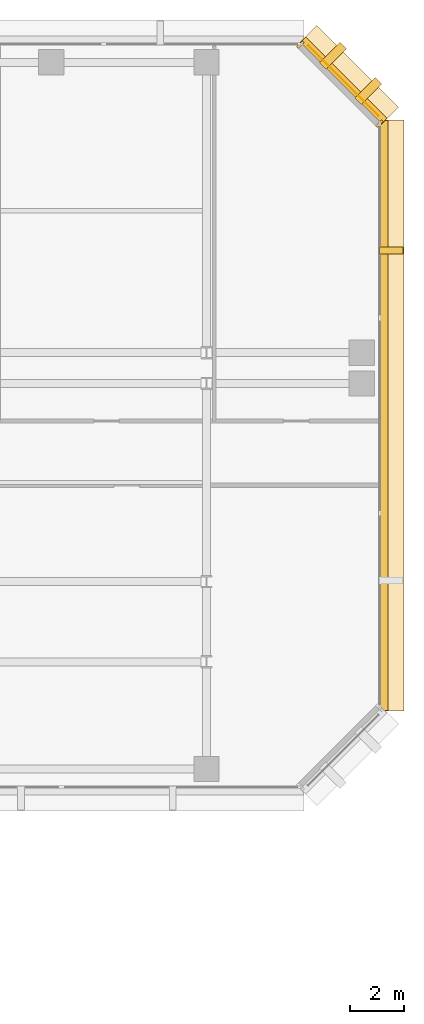
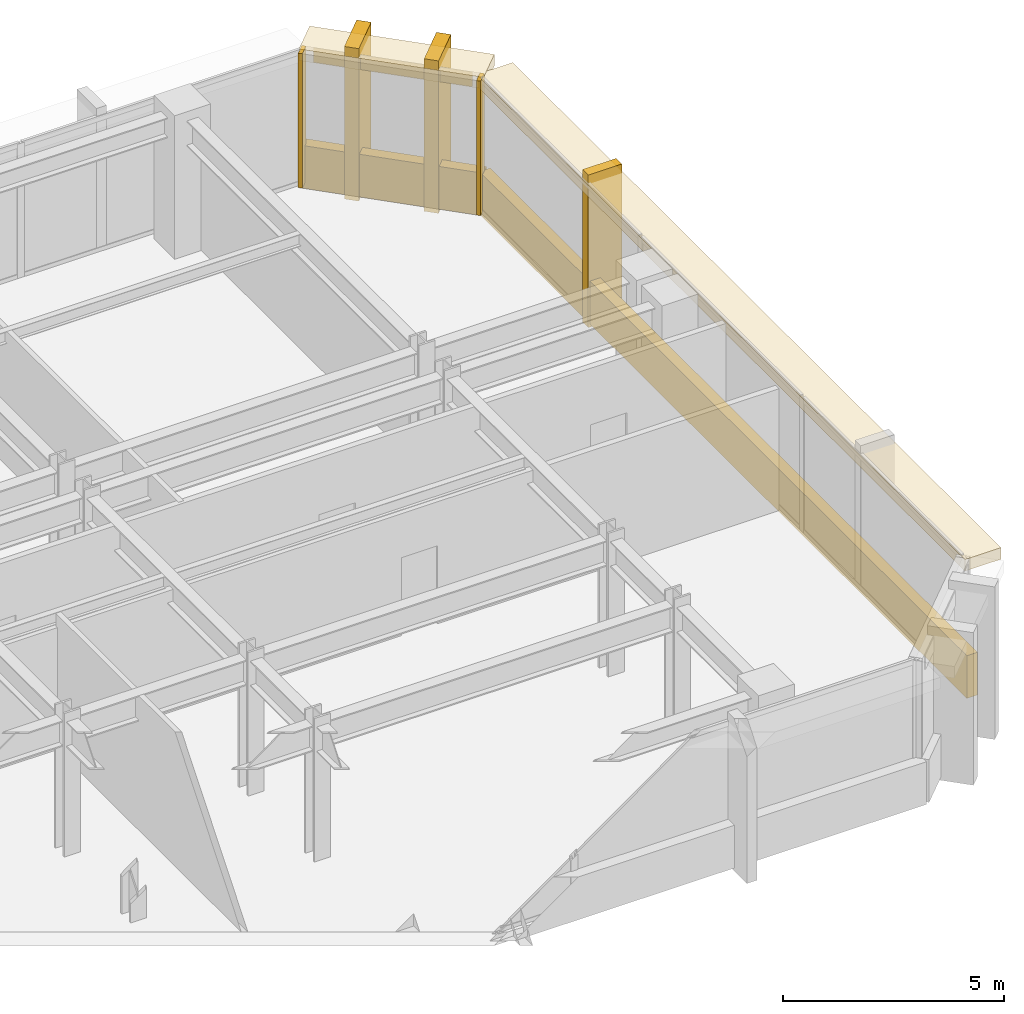
# One storey, part 13 of 13: 10 coverings.
"""IFC4 building model written with IfcOpenShell, lengths in metres."""

from ifc_helpers import new_model, si_unit, direction, frame, origin, origin_2d, place, context, subcontext, project, spatial, rectangle, extrude, material, layer, layer_set, type_object, element, save


model = new_model("IFC4")

# Units and contexts
model_context = context("Model", 3, precision=1e-05, world=origin(), true_north=direction((0.0, 1.0)))
body_context = subcontext(model_context, "Body", "Model", "MODEL_VIEW")
ifc_project = project(units=[si_unit("LENGTHUNIT", "METRE"), si_unit("AREAUNIT", "SQUARE_METRE"), si_unit("VOLUMEUNIT", "CUBIC_METRE"), si_unit("PLANEANGLEUNIT", "RADIAN"), si_unit("MASSUNIT", "GRAM", prefix="KILO")], contexts=[model_context])

# Site, building, storey
site_placement = place(None, origin())
site = spatial("IfcSite", under=ifc_project, at=site_placement, CompositionType="ELEMENT")
building_placement = place(site_placement, origin())
building = spatial("IfcBuilding", under=site, at=building_placement, Name="Kefirva Bronze Tower", CompositionType="ELEMENT")
storey_placement = place(building_placement, frame((0.0, 0.0, 98.669921875)))
storey = spatial("IfcBuildingStorey", under=building, at=storey_placement, Name="L23", CompositionType="ELEMENT", Elevation=98.669921875)

# Coverings
ifc_material = material(Name="Bronze anodised aluminium", Category="aluminium")
ifc_layer_1 = layer(ifc_material, 0.02001953125, Name="Bronze anodised aluminium")
ifc_layer_set_1 = layer_set([ifc_layer_1], Name="Bronze anodised aluminium")
covering_type_1 = type_object("IfcCoveringType", Name="Anodised Bronze Spandrel Cladding 20mm", PredefinedType="CLADDING", material=ifc_layer_set_1)
covering_1_placement = place(storey_placement, frame((56.0400390625, 32.0, -0.15966796875), z_axis=(0.0, 0.0, 1.0), x_axis=(0.0, 1.0, 0.0)))
element("IfcCovering", 1, at=covering_1_placement, inside=storey, type_object=covering_type_1, Name="L23 Streamline Horizontal Spandrel Band 6", PredefinedType="CLADDING", context=body_context, shape_type="SweptSolid", body=[
    extrude(rectangle(XDim=22.0400390625, YDim=0.280029296875, at=origin_2d()), origin(), (0.0, 0.0, 1.0), 1.179931640625),
])
covering_2_placement = place(storey_placement, frame((54.507080078125, 44.507080078125, 3.2900390625), z_axis=(0.0, 0.0, 1.0), x_axis=(-0.707106781187, 0.707106781187, 0.0)))
element("IfcCovering", 2, at=covering_2_placement, inside=storey, type_object=covering_type_1, Name="L23 Bronze Spandrel Cladding 5", PredefinedType="CLADDING", context=body_context, shape_type="SweptSolid", body=[
    extrude(rectangle(XDim=3.719482421875, YDim=0.02001953125, at=origin_2d()), origin(), (0.0, 0.0, 1.0), 0.39990234375),
])
for number, where, z_axis, x_axis, name in (
    (3, (55.862060546875, 42.91162109375, 0.0), (0.0, 0.0, 1.0), (-0.707106781187, 0.707106781187, 0.0), "L23 Facade Joint Closure Panel 5S"),
    (4, (52.91162109375, 45.862060546875, 0.0), (0.0, 0.0, 1.0), (-0.707106781187, 0.707106781187, 0.0), "L23 Facade Joint Closure Panel 5E"),
):
    element("IfcCovering", number, at=place(storey_placement, frame(where, z_axis=z_axis, x_axis=x_axis)), inside=storey, type_object=covering_type_1, Name=name, PredefinedType="CLADDING", context=body_context, shape_type="SweptSolid", body=[
        extrude(rectangle(XDim=0.10009765625, YDim=0.320068359375, at=origin_2d()), origin(), (0.0, 0.0, 1.0), 3.7099609375),
    ])
covering_3_placement = place(storey_placement, frame((54.5283203125, 44.5283203125, -0.15966796875), z_axis=(0.0, 0.0, 1.0), x_axis=(-0.707106781187, 0.707106781187, 0.0)))
element("IfcCovering", 5, at=covering_3_placement, inside=storey, type_object=covering_type_1, Name="L23 Streamline Horizontal Spandrel Band 7", PredefinedType="CLADDING", context=body_context, shape_type="SweptSolid", body=[
    extrude(rectangle(XDim=4.28271484375, YDim=0.280029296875, at=origin_2d()), origin(), (0.0, 0.0, 1.0), 1.179931640625),
])
ifc_layer_2 = layer(ifc_material, 0.179931640625, Name="Bronze anodised aluminium")
ifc_layer_set_2 = layer_set([ifc_layer_2], Name="Bronze anodised aluminium")
covering_type_2 = type_object("IfcCoveringType", Name="Streamline Bronze Sunshade Eyebrow Cladding 180mm", PredefinedType="CLADDING", material=ifc_layer_set_2)
covering_4_placement = place(storey_placement, frame((56.31005859375, 32.0, 3.39013671875), z_axis=(0.0, 0.0, 1.0), x_axis=(0.0, 1.0, 0.0)))
element("IfcCovering", 6, at=covering_4_placement, inside=storey, type_object=covering_type_2, Name="L23 Streamline Bronze Sunshade Eyebrow 6", PredefinedType="CLADDING", context=body_context, shape_type="SweptSolid", body=[
    extrude(rectangle(XDim=22.080078125, YDim=0.93994140625, at=origin_2d()), origin(), (0.0, 0.0, 1.0), 0.320068359375),
])
covering_5_placement = place(storey_placement, frame((54.71923828125, 44.71923828125, 3.39013671875), z_axis=(0.0, 0.0, 1.0), x_axis=(-0.707106781187, 0.707106781187, 0.0)))
element("IfcCovering", 7, at=covering_5_placement, inside=storey, type_object=covering_type_2, Name="L23 Streamline Bronze Sunshade Eyebrow 7", PredefinedType="CLADDING", context=body_context, shape_type="SweptSolid", body=[
    extrude(rectangle(XDim=4.322509765625, YDim=0.93994140625, at=origin_2d()), origin(), (0.0, 0.0, 1.0), 0.320068359375),
])
ifc_layer_3 = layer(ifc_material, 0.260009765625, Name="Bronze anodised aluminium")
ifc_layer_set_3 = layer_set([ifc_layer_3], Name="Bronze anodised aluminium")
covering_type_3 = type_object("IfcCoveringType", Name="Unbroken Bronze Buttress Fin Cladding 260mm", PredefinedType="CLADDING", material=ifc_layer_set_3)
covering_6_placement = place(storey_placement, frame((56.300048828125, 38.159912109375, -0.25), z_axis=(0.0, 0.0, 1.0), x_axis=(0.0, 1.0, 0.0)))
element("IfcCovering", 8, at=covering_6_placement, inside=storey, type_object=covering_type_3, Name="L23 Unbroken Vertical Bronze Rib Fin 16", PredefinedType="CLADDING", context=body_context, shape_type="SweptSolid", body=[
    extrude(rectangle(XDim=0.260009765625, YDim=0.8798828125, at=origin_2d()), origin(), (0.0, 0.0, 1.0), 4.2099609375),
])
for number, where, z_axis, x_axis, name in (
    (9, (55.44287109375, 44.122802734375, -0.25), (0.0, 0.0, 1.0), (-0.707106781187, 0.707106781187, 0.0), "L23 Chamfered Corner Buttress Fin Cladding 17"),
    (10, (54.122802734375, 45.44287109375, -0.25), (0.0, 0.0, 1.0), (-0.707106781187, 0.707106781187, 0.0), "L23 Chamfered Corner Buttress Fin Cladding 18"),
):
    element("IfcCovering", number, at=place(storey_placement, frame(where, z_axis=z_axis, x_axis=x_axis)), inside=storey, type_object=covering_type_3, Name=name, PredefinedType="CLADDING", context=body_context, shape_type="SweptSolid", body=[
        extrude(rectangle(XDim=0.340087890625, YDim=1.080078125, at=origin_2d()), origin(), (0.0, 0.0, 1.0), 4.2099609375),
    ])

save(model, "model.ifc")
